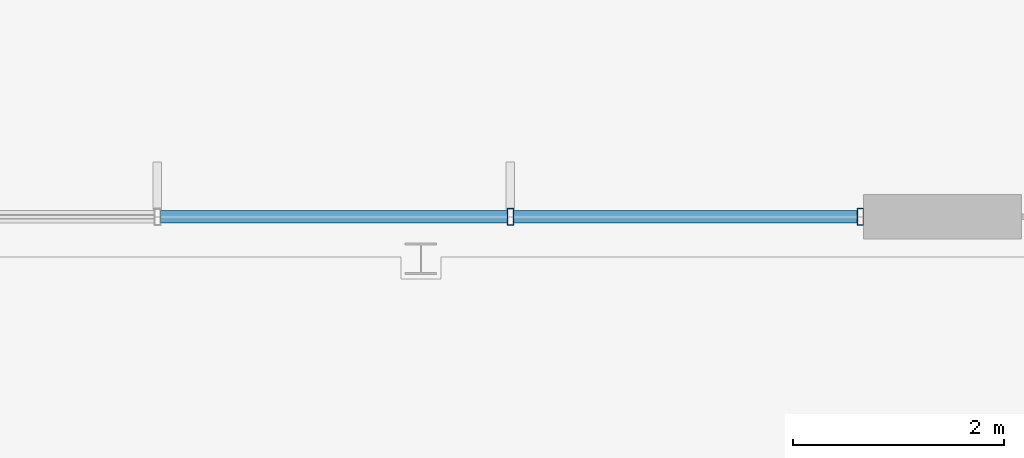
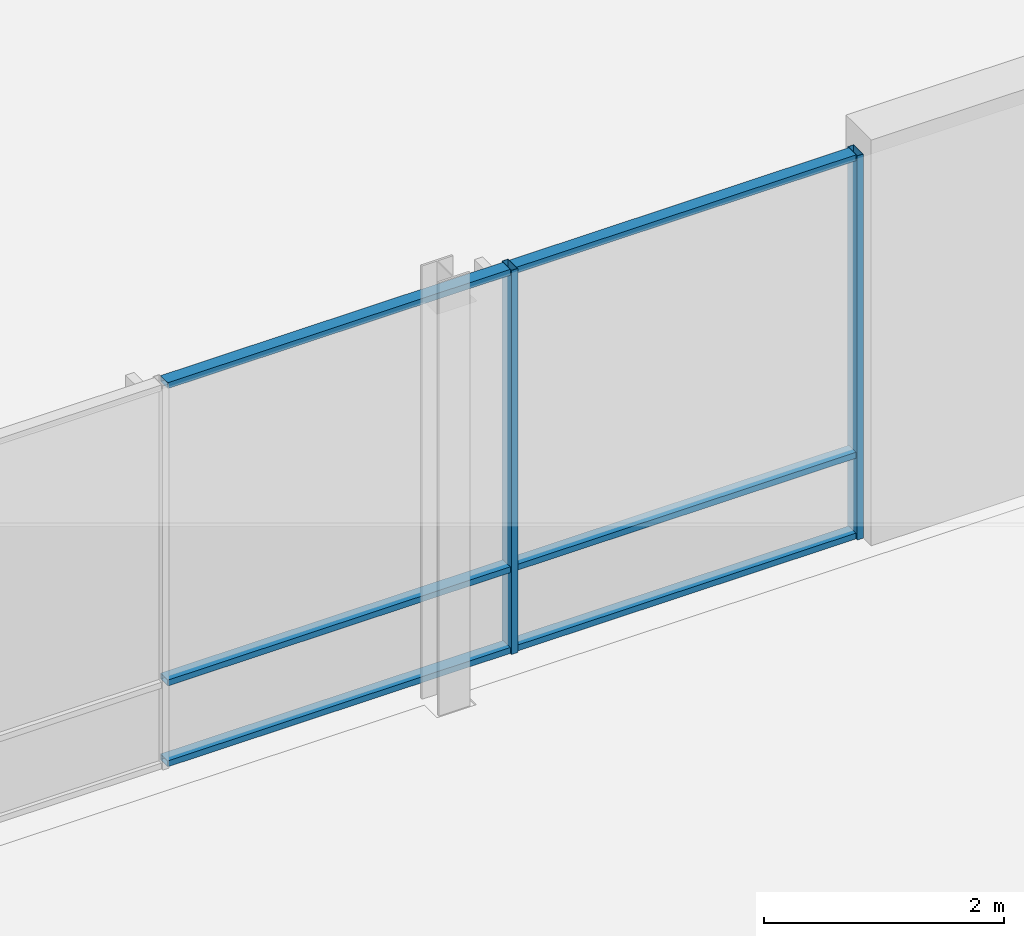
# One storey, part 64 of 233: 8 members, 1 element without a shape of its own.
"""IFC4 building model written with IfcOpenShell, lengths in metres."""

from ifc_helpers import new_model, si_unit, direction, frame, origin, origin_2d, place, context, subcontext, project, spatial, hollow_rectangle, extrude, material, material_profile, profile_set, type_object, element, aggregate, save


model = new_model("IFC4")

# Units and contexts
model_context = context("Model", 3, precision=1e-05, world=origin(), true_north=direction((0.0, 1.0)))
body_context = subcontext(model_context, "Body", "Model", "MODEL_VIEW")
ifc_project = project(units=[si_unit("LENGTHUNIT", "METRE"), si_unit("AREAUNIT", "SQUARE_METRE"), si_unit("VOLUMEUNIT", "CUBIC_METRE"), si_unit("PLANEANGLEUNIT", "RADIAN"), si_unit("MASSUNIT", "GRAM", prefix="KILO")], contexts=[model_context])

# Site, building, storey
site_placement = place(None, origin())
site = spatial("IfcSite", under=ifc_project, at=site_placement, CompositionType="ELEMENT")
building_placement = place(site_placement, origin())
building = spatial("IfcBuilding", under=site, at=building_placement, Name="Zavelmont Quarter", CompositionType="ELEMENT")
storey_placement = place(building_placement, origin())
storey = spatial("IfcBuildingStorey", under=building, at=storey_placement, Name="L00", CompositionType="ELEMENT", Elevation=0.0)

# Curtain wall, members
ifc_material_1 = material(Name="Thermally broken aluminium and double low-E safety glazing", Category="aluminium")
curtain_wall_type = type_object("IfcCurtainWallType", Name="CW-1340X390", PredefinedType="NOTDEFINED", material=ifc_material_1)
curtain_wall_placement = place(storey_placement, origin())
curtain_wall = element("IfcCurtainWall", 1, at=curtain_wall_placement, inside=storey, type_object=curtain_wall_type, Name="L00 unitised curtain wall CW-1340X390", PredefinedType="NOTDEFINED")
ifc_material_2 = material(Name="Powder-coated aluminium EN AW-6063-T6", Category="aluminium")
ifc_material_profile_1 = material_profile(ifc_material_2, hollow_rectangle(XDim=0.06005859375, YDim=0.159912109375, WallThickness=0.00390625, at=origin_2d()), Name="CWM60X160")
ifc_profile_set_1 = profile_set([ifc_material_profile_1], Name="Powder-coated aluminium EN AW-6063-T6")
member_type_1 = type_object("IfcMemberType", Name="CWM01", PredefinedType="MULLION", material=ifc_profile_set_1)
member_1_placement = place(storey_placement, frame((66.64990234375, 14.39990234375, 0.0), z_axis=(0.0, 0.0, 1.0), x_axis=(1.0, 0.0, 0.0)))
member_1 = element("IfcMember", 2, at=member_1_placement, type_object=member_type_1, Name="CW-1340X390 mullion 4", PredefinedType="MULLION", context=body_context, shape_type="SweptSolid", body=[
    extrude(hollow_rectangle(XDim=0.06005859375, YDim=0.159912109375, WallThickness=0.00390625, at=origin_2d()), origin(), (0.0, 0.0, 1.0), 3.89990234375),
])
member_2_placement = place(storey_placement, frame((69.969970703125, 14.39990234375, 0.0), z_axis=(0.0, 0.0, 1.0), x_axis=(1.0, 0.0, 0.0)))
member_2 = element("IfcMember", 3, at=member_2_placement, type_object=member_type_1, Name="CW-1340X390 mullion 5", PredefinedType="MULLION", context=body_context, shape_type="SweptSolid", body=[
    extrude(hollow_rectangle(XDim=0.06005859375, YDim=0.159912109375, WallThickness=0.00390625, at=origin_2d()), origin(), (0.0, 0.0, 1.0), 3.89990234375),
])
ifc_material_profile_2 = material_profile(ifc_material_2, hollow_rectangle(XDim=0.1201171875, YDim=0.06005859375, WallThickness=0.00390625, at=origin_2d()), Name="CWT60X120")
ifc_profile_set_2 = profile_set([ifc_material_profile_2], Name="Powder-coated aluminium EN AW-6063-T6")
member_type_2 = type_object("IfcMemberType", Name="CWT01", PredefinedType="NOTDEFINED", material=ifc_profile_set_2)
member_3_placement = place(storey_placement, frame((63.330078125, 14.39990234375, 0.030029296875), z_axis=(1.0, 0.0, 0.0), x_axis=(0.0, 1.0, 0.0)))
member_3 = element("IfcMember", 4, at=member_3_placement, type_object=member_type_2, Name="CW-1340X390 transom 3.1", ObjectType="TRANSOM", PredefinedType="USERDEFINED", context=body_context, shape_type="SweptSolid", body=[
    extrude(hollow_rectangle(XDim=0.1201171875, YDim=0.06005859375, WallThickness=0.00390625, at=origin_2d()), origin(), (0.0, 0.0, 1.0), 3.2900390625),
])
member_4_placement = place(storey_placement, frame((63.330078125, 14.39990234375, 0.85009765625), z_axis=(1.0, 0.0, 0.0), x_axis=(0.0, 1.0, 0.0)))
member_4 = element("IfcMember", 5, at=member_4_placement, type_object=member_type_2, Name="CW-1340X390 transom 3.2", ObjectType="TRANSOM", PredefinedType="USERDEFINED", context=body_context, shape_type="SweptSolid", body=[
    extrude(hollow_rectangle(XDim=0.1201171875, YDim=0.06005859375, WallThickness=0.00390625, at=origin_2d()), origin(), (0.0, 0.0, 1.0), 3.2900390625),
])
member_5_placement = place(storey_placement, frame((63.330078125, 14.39990234375, 3.8701171875), z_axis=(1.0, 0.0, 0.0), x_axis=(0.0, 1.0, 0.0)))
member_5 = element("IfcMember", 6, at=member_5_placement, type_object=member_type_2, Name="CW-1340X390 transom 3.3", ObjectType="TRANSOM", PredefinedType="USERDEFINED", context=body_context, shape_type="SweptSolid", body=[
    extrude(hollow_rectangle(XDim=0.1201171875, YDim=0.06005859375, WallThickness=0.00390625, at=origin_2d()), origin(), (0.0, 0.0, 1.0), 3.2900390625),
])
member_6_placement = place(storey_placement, frame((66.679931640625, 14.39990234375, 0.030029296875), z_axis=(1.0, 0.0, 0.0), x_axis=(0.0, 1.0, 0.0)))
member_6 = element("IfcMember", 7, at=member_6_placement, type_object=member_type_2, Name="CW-1340X390 transom 4.1", ObjectType="TRANSOM", PredefinedType="USERDEFINED", context=body_context, shape_type="SweptSolid", body=[
    extrude(hollow_rectangle(XDim=0.1201171875, YDim=0.06005859375, WallThickness=0.00390625, at=origin_2d()), origin(), (0.0, 0.0, 1.0), 3.260009765625),
])
member_7_placement = place(storey_placement, frame((66.679931640625, 14.39990234375, 0.85009765625), z_axis=(1.0, 0.0, 0.0), x_axis=(0.0, 1.0, 0.0)))
member_7 = element("IfcMember", 8, at=member_7_placement, type_object=member_type_2, Name="CW-1340X390 transom 4.2", ObjectType="TRANSOM", PredefinedType="USERDEFINED", context=body_context, shape_type="SweptSolid", body=[
    extrude(hollow_rectangle(XDim=0.1201171875, YDim=0.06005859375, WallThickness=0.00390625, at=origin_2d()), origin(), (0.0, 0.0, 1.0), 3.260009765625),
])
member_8_placement = place(storey_placement, frame((66.679931640625, 14.39990234375, 3.8701171875), z_axis=(1.0, 0.0, 0.0), x_axis=(0.0, 1.0, 0.0)))
member_8 = element("IfcMember", 9, at=member_8_placement, type_object=member_type_2, Name="CW-1340X390 transom 4.3", ObjectType="TRANSOM", PredefinedType="USERDEFINED", context=body_context, shape_type="SweptSolid", body=[
    extrude(hollow_rectangle(XDim=0.1201171875, YDim=0.06005859375, WallThickness=0.00390625, at=origin_2d()), origin(), (0.0, 0.0, 1.0), 3.260009765625),
])
aggregate(curtain_wall, [member_1, member_2, member_3, member_4, member_5, member_6, member_7, member_8])

save(model, "model.ifc")
